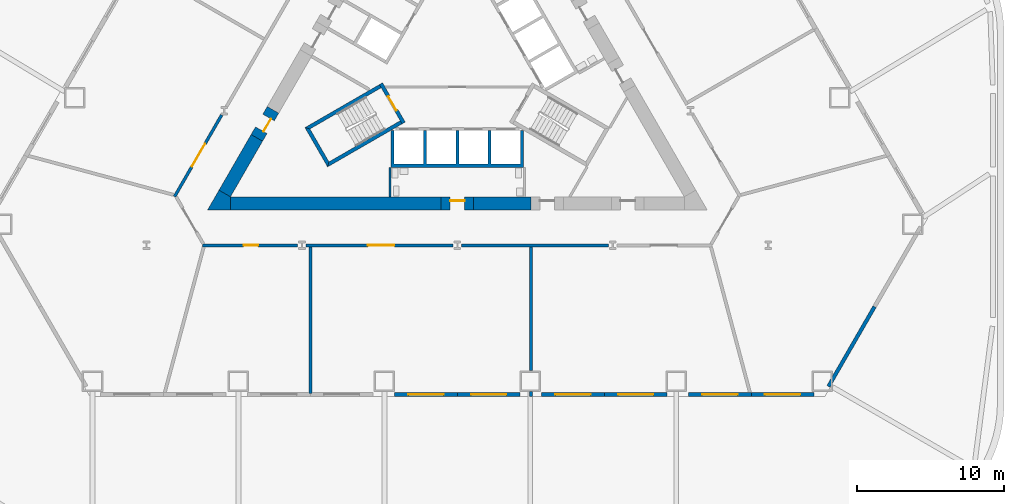
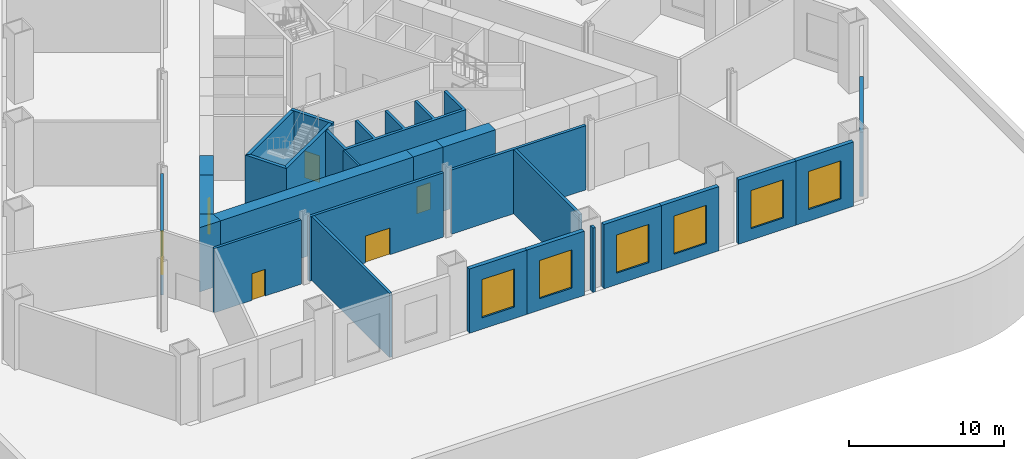
# One storey, part 3 of 10: 26 walls, 6 doors, 6 windows, 12 openings.
"""IFC4 building model written with IfcOpenShell, lengths in metres."""

from ifc_helpers import new_model, si_unit, direction, frame, frame_2d, origin, place, context, subcontext, project, spatial, polyline, rectangle, outline, extrude, material, layer, layer_set, type_object, element, fill, save


model = new_model("IFC4")

# Units and contexts
model_context = context("Model", 3, precision=1e-05, world=origin(), true_north=direction((0.0, 1.0)))
body_context = subcontext(model_context, "Body", "Model", "MODEL_VIEW")
ifc_project = project(units=[si_unit("LENGTHUNIT", "METRE"), si_unit("AREAUNIT", "SQUARE_METRE"), si_unit("VOLUMEUNIT", "CUBIC_METRE"), si_unit("PLANEANGLEUNIT", "RADIAN"), si_unit("MASSUNIT", "GRAM", prefix="KILO")], contexts=[model_context])

# Site, building, storey
site_placement = place(None, origin())
site = spatial("IfcSite", under=ifc_project, at=site_placement, CompositionType="ELEMENT")
building_placement = place(site_placement, origin())
building = spatial("IfcBuilding", under=site, at=building_placement, Name="Cormorant Prow Tower", CompositionType="ELEMENT")
storey_placement = place(building_placement, frame((0.0, 0.0, 10.0)))
storey = spatial("IfcBuildingStorey", under=building, at=storey_placement, Name="L01", CompositionType="ELEMENT", Elevation=10.0)

# Walls
ifc_material_1 = material(Name="Gypsum board partition")
ifc_layer_1 = layer(ifc_material_1, 0.14990234375)
ifc_layer_set_1 = layer_set([ifc_layer_1], Name="Gypsum board partition")
wall_type_1 = type_object("IfcWallType", Name="Core partition 150", PredefinedType="PARTITIONING", material=ifc_layer_set_1)
wall_1_placement = place(storey_placement, frame((-4.574951171875, -6.906005859375, 0.0), z_axis=(0.0, 0.0, 1.0), x_axis=(0.0, -1.0, 0.0)))
element("IfcWall", 1, at=wall_1_placement, inside=storey, type_object=wall_type_1, Name="Service room partition", PredefinedType="PARTITIONING", context=body_context, shape_type="SweptSolid", body=[
    extrude(rectangle(XDim=2.009033203125, YDim=0.14990234375, at=frame_2d((1.00439453125, 0.0))), origin(), (0.0, 0.0, 1.0), 5.050048828125),
])
ifc_material_2 = material(Name="Concrete 8000 psi", Category="concrete")
ifc_layer_2 = layer(ifc_material_2, 0.89990234375)
ifc_layer_set_2 = layer_set([ifc_layer_2], Name="Concrete 8000 psi")
wall_type_2 = type_object("IfcWallType", Name="Core shear wall 900", PredefinedType="SHEAR", material=ifc_layer_set_2)
wall_2_placement = place(storey_placement, frame((-15.441162109375, -9.364990234375, 0.0), z_axis=(0.0, 0.0, 1.0), x_axis=(1.0, 0.0, 0.0)))
element("IfcWall", 2, at=wall_2_placement, inside=storey, type_object=wall_type_2, Name="Core wall", PredefinedType="SHEAR", context=body_context, shape_type="SweptSolid", body=[
    extrude(rectangle(XDim=14.341064453125, YDim=0.89990234375, at=frame_2d((7.17041015625, 0.0))), origin(), (0.0, 0.0, 1.0), 5.050048828125),
])
wall_3_placement = place(storey_placement, frame((1.10009765625, -9.364990234375, 0.0), z_axis=(0.0, 0.0, 1.0), x_axis=(1.0, 0.0, 0.0)))
element("IfcWall", 3, at=wall_3_placement, inside=storey, type_object=wall_type_2, Name="Core wall", PredefinedType="SHEAR", context=body_context, shape_type="SweptSolid", body=[
    extrude(rectangle(XDim=3.908935546875, YDim=0.89990234375, at=frame_2d((1.95458984375, 0.0))), origin(), (0.0, 0.0, 1.0), 5.050048828125),
])
wall_4_placement = place(storey_placement, frame((-13.6455078125, -4.90478515625, 0.0), z_axis=(0.0, 0.0, 1.0), x_axis=(-0.499990005186, -0.866031174216, 0.0)))
element("IfcWall", 4, at=wall_4_placement, inside=storey, type_object=wall_type_2, Name="Core wall", PredefinedType="SHEAR", context=body_context, shape_type="SweptSolid", body=[
    extrude(rectangle(XDim=4.37060546875, YDim=0.89990234375, at=frame_2d((2.185302734375, 0.0))), origin(), (0.0, 0.0, 1.0), 5.050048828125),
])
wall_5_placement = place(storey_placement, origin())
element("IfcWall", 5, at=wall_5_placement, inside=storey, type_object=wall_type_2, Name="Core wall corner", PredefinedType="SHEAR", context=body_context, shape_type="SweptSolid", body=[
    extrude(outline(polyline([(-16.220703125, -8.465087890625), (-15.441162109375, -8.9150390625), (-15.441162109375, -9.81494140625), (-17.0, -9.81494140625), (-16.220703125, -8.465087890625)])), origin(), (0.0, 0.0, 1.0), 5.050048828125),
])

# Wall, opening, door
wall_6_placement = place(storey_placement, frame((-1.10009765625, -9.364990234375, 0.0), z_axis=(0.0, 0.0, 1.0), x_axis=(1.0, 0.0, 0.0)))
wall_6 = element("IfcWall", 6, at=wall_6_placement, inside=storey, type_object=wall_type_2, Name="Core wall door panel", PredefinedType="SHEAR", context=body_context, shape_type="SweptSolid", body=[
    extrude(rectangle(XDim=2.2001953125, YDim=0.89990234375, at=frame_2d((1.10009765625, 0.0))), origin(), (0.0, 0.0, 1.0), 5.050048828125),
])
opening_1_placement = place(wall_6_placement, frame((0.60009765625, 0.0, 0.0)))
opening_1 = element("IfcOpeningElement", 7, at=opening_1_placement, cuts=wall_6, Name="Opening L01-C15", PredefinedType="OPENING", context=body_context, shape_type="SweptSolid", body=[
    extrude(rectangle(XDim=1.0, YDim=2.10009765625, at=frame_2d((0.5, 1.050048828125))), frame((0.0, 0.4599609375, 0.0), z_axis=(0.0, -1.0, 0.0), x_axis=(1.0, 0.0, 0.0)), (0.0, 0.0, 1.0), 0.919921875),
])
ifc_material_3 = material(Name="Painted steel", Category="steel")
door_type_1 = type_object("IfcDoorType", Name="Service door 1000x2100", OperationType="NOTDEFINED", PredefinedType="DOOR", material=ifc_material_3)
door_1_placement = place(opening_1_placement, origin())
door_1 = element("IfcDoor", 8, at=door_1_placement, inside=storey, type_object=door_type_1, Name="Core door, Toilets (women) L01", OperationType="SINGLE_SWING_LEFT", OverallHeight=2.10009765625, OverallWidth=1.0, PredefinedType="DOOR", context=body_context, shape_type="SweptSolid", body=[
    extrude(rectangle(XDim=1.0, YDim=2.10009765625, at=frame_2d((0.5, 1.050048828125))), frame((0.0, 0.205078125, 0.0), z_axis=(0.0, -1.0, 0.0), x_axis=(1.0, 0.0, 0.0)), (0.0, 0.0, 1.0), 0.050048828125),
])
fill(opening_1, door_1)

wall_7_placement = place(storey_placement, frame((-12.545654296875, -2.999755859375, 0.0), z_axis=(0.0, 0.0, 1.0), x_axis=(-0.499994660107, -0.866028486751, 0.0)))
wall_7 = element("IfcWall", 9, at=wall_7_placement, inside=storey, type_object=wall_type_2, Name="Core wall door panel", PredefinedType="SHEAR", context=body_context, shape_type="SweptSolid", body=[
    extrude(rectangle(XDim=2.19970703125, YDim=0.89990234375, at=frame_2d((1.099853515625, 0.0))), origin(), (0.0, 0.0, 1.0), 5.050048828125),
])
opening_2_placement = place(wall_7_placement, frame((0.60009765625, 0.0, 0.0)))
opening_2 = element("IfcOpeningElement", 10, at=opening_2_placement, cuts=wall_7, Name="Opening L01-C16", PredefinedType="OPENING", context=body_context, shape_type="SweptSolid", body=[
    extrude(rectangle(XDim=1.0, YDim=2.10009765625, at=frame_2d((0.5, 1.050048828125))), frame((0.0, 0.4599609375, 0.0), z_axis=(0.0, -1.0, 0.0), x_axis=(1.0, 0.0, 0.0)), (0.0, 0.0, 1.0), 0.919921875),
])
door_2_placement = place(opening_2_placement, origin())
door_2 = element("IfcDoor", 11, at=door_2_placement, inside=storey, type_object=door_type_1, Name="Core door, Telecom room", OperationType="SINGLE_SWING_LEFT", OverallHeight=2.10009765625, OverallWidth=1.0, PredefinedType="DOOR", context=body_context, shape_type="SweptSolid", body=[
    extrude(rectangle(XDim=1.0, YDim=2.10009765625, at=frame_2d((0.5, 1.050048828125))), frame((0.0, 0.205078125, 0.0), z_axis=(0.0, -1.0, 0.0), x_axis=(1.0, 0.0, 0.0)), (0.0, 0.0, 1.0), 0.050048828125),
])
fill(opening_2, door_2)

ifc_material_4 = material(Name="Gypsum board corridor wall")
ifc_layer_3 = layer(ifc_material_4, 0.199951171875)
ifc_layer_set_3 = layer_set([ifc_layer_3], Name="Gypsum board corridor wall")
wall_type_3 = type_object("IfcWallType", Name="Corridor wall 200", PredefinedType="PARTITIONING", material=ifc_layer_set_3)
wall_8_placement = place(storey_placement, frame((-10.28369140625, -12.215087890625, 0.0), z_axis=(0.0, 0.0, 1.0), x_axis=(1.0, 0.0, 0.0)))
wall_8 = element("IfcWall", 12, at=wall_8_placement, inside=storey, type_object=wall_type_3, Name="Corridor wall", PredefinedType="PARTITIONING", context=body_context, shape_type="SweptSolid", body=[
    extrude(rectangle(XDim=9.98876953125, YDim=0.199951171875, at=frame_2d((4.994384765625, 0.0))), origin(), (0.0, 0.0, 1.0), 5.050048828125),
])
opening_3_placement = place(wall_8_placement, frame((4.195556640625, 0.0, 0.0)))
opening_3 = element("IfcOpeningElement", 13, at=opening_3_placement, cuts=wall_8, Name="Opening L01-F05", PredefinedType="OPENING", context=body_context, shape_type="SweptSolid", body=[
    extrude(rectangle(XDim=1.800048828125, YDim=2.10009765625, at=frame_2d((0.89990234375, 1.050048828125))), frame((0.0, 0.10986328125, 0.0), z_axis=(0.0, -1.0, 0.0), x_axis=(1.0, 0.0, 0.0)), (0.0, 0.0, 1.0), 0.219970703125),
])
ifc_material_5 = material(Name="Timber door leaf", Category="wood")
door_type_2 = type_object("IfcDoorType", Name="Double door 1800x2100", OperationType="DOUBLE_DOOR_SINGLE_SWING", PredefinedType="DOOR", material=ifc_material_5)
door_3_placement = place(opening_3_placement, origin())
door_3 = element("IfcDoor", 14, at=door_3_placement, inside=storey, type_object=door_type_2, Name="Retail unit door", OperationType="DOUBLE_DOOR_SINGLE_SWING", OverallHeight=2.10009765625, OverallWidth=1.800048828125, PredefinedType="DOOR", context=body_context, shape_type="SweptSolid", body=[
    extrude(rectangle(XDim=1.800048828125, YDim=2.10009765625, at=frame_2d((0.89990234375, 1.050048828125))), frame((0.0, 0.02490234375, 0.0), z_axis=(0.0, -1.0, 0.0), x_axis=(1.0, 0.0, 0.0)), (0.0, 0.0, 1.0), 0.050048828125),
])
fill(opening_3, door_3)

# Wall
wall_9_placement = place(storey_placement, frame((0.294921875, -12.215087890625, 0.0), z_axis=(0.0, 0.0, 1.0), x_axis=(1.0, 0.0, 0.0)))
element("IfcWall", 15, at=wall_9_placement, inside=storey, type_object=wall_type_3, Name="Corridor wall", PredefinedType="PARTITIONING", context=body_context, shape_type="SweptSolid", body=[
    extrude(rectangle(XDim=9.98876953125, YDim=0.199951171875, at=frame_2d((4.994384765625, 0.0))), origin(), (0.0, 0.0, 1.0), 5.050048828125),
])

# Wall, opening, door
wall_10_placement = place(storey_placement, frame((-17.330810546875, -12.215087890625, 0.0), z_axis=(0.0, 0.0, 1.0), x_axis=(1.0, 0.0, 0.0)))
wall_10 = element("IfcWall", 16, at=wall_10_placement, inside=storey, type_object=wall_type_3, Name="Corridor wall", PredefinedType="PARTITIONING", context=body_context, shape_type="SweptSolid", body=[
    extrude(rectangle(XDim=6.45751953125, YDim=0.199951171875, at=frame_2d((3.228759765625, 0.0))), origin(), (0.0, 0.0, 1.0), 5.050048828125),
])
opening_4_placement = place(wall_10_placement, frame((2.779541015625, 0.0, 0.0)))
opening_4 = element("IfcOpeningElement", 17, at=opening_4_placement, cuts=wall_10, Name="Opening L01-F04", PredefinedType="OPENING", context=body_context, shape_type="SweptSolid", body=[
    extrude(rectangle(XDim=1.0, YDim=2.10009765625, at=frame_2d((0.5, 1.050048828125))), frame((0.0, 0.10986328125, 0.0), z_axis=(0.0, -1.0, 0.0), x_axis=(1.0, 0.0, 0.0)), (0.0, 0.0, 1.0), 0.219970703125),
])
ifc_material_6 = material(Name="Timber door leaf", Category="wood")
door_type_3 = type_object("IfcDoorType", Name="Flat or room entrance door 1000x2100", OperationType="NOTDEFINED", PredefinedType="DOOR", material=ifc_material_6)
door_4_placement = place(opening_4_placement, origin())
door_4 = element("IfcDoor", 18, at=door_4_placement, inside=storey, type_object=door_type_3, Name="Pharmacy door", OperationType="SINGLE_SWING_RIGHT", OverallHeight=2.10009765625, OverallWidth=1.0, PredefinedType="DOOR", context=body_context, shape_type="SweptSolid", body=[
    extrude(rectangle(XDim=1.0, YDim=2.10009765625, at=frame_2d((0.5, 1.050048828125))), frame((0.0, 0.02490234375, 0.0), z_axis=(0.0, -1.0, 0.0), x_axis=(1.0, 0.0, 0.0)), (0.0, 0.0, 1.0), 0.050048828125),
])
fill(opening_4, door_4)

wall_11_placement = place(storey_placement, frame((-19.243896484375, -8.901611328125, 0.0), z_axis=(0.0, 0.0, 1.0), x_axis=(0.499988314375, 0.866032150378, 0.0)))
wall_11 = element("IfcWall", 19, at=wall_11_placement, inside=storey, type_object=wall_type_3, Name="Corridor wall", PredefinedType="PARTITIONING", context=body_context, shape_type="SweptSolid", body=[
    extrude(rectangle(XDim=6.412353515625, YDim=0.199951171875, at=frame_2d((3.2060546875, 0.0))), origin(), (0.0, 0.0, 1.0), 5.050048828125),
])
opening_5_placement = place(wall_11_placement, frame((2.356201171875, 0.0, 0.0)))
opening_5 = element("IfcOpeningElement", 20, at=opening_5_placement, cuts=wall_11, Name="Opening L01-F02", PredefinedType="OPENING", context=body_context, shape_type="SweptSolid", body=[
    extrude(rectangle(XDim=1.800048828125, YDim=2.10009765625, at=frame_2d((0.89990234375, 1.050048828125))), frame((0.0, 0.10986328125, 0.0), z_axis=(0.0, -1.0, 0.0), x_axis=(1.0, 0.0, 0.0)), (0.0, 0.0, 1.0), 0.219970703125),
])
door_5_placement = place(opening_5_placement, origin())
door_5 = element("IfcDoor", 21, at=door_5_placement, inside=storey, type_object=door_type_2, Name="Bank branch door", OperationType="DOUBLE_DOOR_SINGLE_SWING", OverallHeight=2.10009765625, OverallWidth=1.800048828125, PredefinedType="DOOR", context=body_context, shape_type="SweptSolid", body=[
    extrude(rectangle(XDim=1.800048828125, YDim=2.10009765625, at=frame_2d((0.89990234375, 1.050048828125))), frame((0.0, 0.02490234375, 0.0), z_axis=(0.0, -1.0, 0.0), x_axis=(1.0, 0.0, 0.0)), (0.0, 0.0, 1.0), 0.050048828125),
])
fill(opening_5, door_5)

# Walls
ifc_material_7 = material(Name="Gypsum board demising wall")
ifc_layer_4 = layer(ifc_material_7, 0.199951171875)
ifc_layer_set_4 = layer_set([ifc_layer_4], Name="Gypsum board demising wall")
wall_type_4 = type_object("IfcWallType", Name="Demising wall 200", PredefinedType="PARTITIONING", material=ifc_layer_set_4)
wall_12_placement = place(storey_placement, frame((-10.0, -22.296630859375, 0.0), z_axis=(0.0, 0.0, 1.0), x_axis=(0.0, 1.0, 0.0)))
element("IfcWall", 22, at=wall_12_placement, inside=storey, type_object=wall_type_4, Name="Demising wall", PredefinedType="PARTITIONING", context=body_context, shape_type="SweptSolid", body=[
    extrude(rectangle(XDim=9.981689453125, YDim=0.199951171875, at=frame_2d((4.99072265625, 0.0))), origin(), (0.0, 0.0, 1.0), 5.050048828125),
])
wall_13_placement = place(storey_placement, frame((5.0, -20.75, 0.0), z_axis=(0.0, 0.0, 1.0), x_axis=(0.0, 1.0, 0.0)))
element("IfcWall", 23, at=wall_13_placement, inside=storey, type_object=wall_type_4, Name="Demising wall", PredefinedType="PARTITIONING", context=body_context, shape_type="SweptSolid", body=[
    extrude(rectangle(XDim=8.43505859375, YDim=0.199951171875, at=frame_2d((4.217529296875, 0.0))), origin(), (0.0, 0.0, 1.0), 5.050048828125),
])
wall_14_placement = place(storey_placement, frame((5.0, -22.5166015625, 0.0), z_axis=(0.0, 0.0, 1.0), x_axis=(0.0, 1.0, 0.0)))
element("IfcWall", 24, at=wall_14_placement, inside=storey, type_object=wall_type_4, Name="Demising wall", PredefinedType="PARTITIONING", context=body_context, shape_type="SweptSolid", body=[
    extrude(rectangle(XDim=0.3466796875, YDim=0.199951171875, at=frame_2d((0.17333984375, 0.0))), origin(), (0.0, 0.0, 1.0), 5.050048828125),
])
ifc_material_8 = material(Name="Concrete 8000 psi", Category="concrete")
ifc_layer_5 = layer(ifc_material_8, 0.199951171875)
ifc_layer_set_5 = layer_set([ifc_layer_5], Name="Concrete 8000 psi")
wall_type_5 = type_object("IfcWallType", Name="Lift shaft wall 200", PredefinedType="SHEAR", material=ifc_layer_set_5)
wall_15_placement = place(storey_placement, origin())
element("IfcWall", 25, at=wall_15_placement, inside=storey, type_object=wall_type_5, Name="Lift shaft walls, S block", PredefinedType="SHEAR", context=body_context, shape_type="SweptSolid", body=[
    extrude(outline(polyline([(4.5, -4.39990234375), (4.5, -6.906005859375), (-4.5, -6.906005859375), (-4.5, -4.39990234375), (-4.300048828125, -4.39990234375), (-4.300048828125, -6.699951171875), (-2.300048828125, -6.699951171875), (-2.300048828125, -4.39990234375), (-2.10009765625, -4.39990234375), (-2.10009765625, -6.699951171875), (-0.10009765625, -6.699951171875), (-0.10009765625, -4.39990234375), (0.10009765625, -4.39990234375), (0.10009765625, -6.699951171875), (2.10009765625, -6.699951171875), (2.10009765625, -4.39990234375), (2.300048828125, -4.39990234375), (2.300048828125, -6.699951171875), (4.300048828125, -6.699951171875), (4.300048828125, -4.39990234375), (4.5, -4.39990234375)])), origin(), (0.0, 0.0, 1.0), 5.050048828125),
])
ifc_material_9 = material(Name="Concrete 8000 psi", Category="concrete")
ifc_layer_6 = layer(ifc_material_9, 0.25)
ifc_layer_set_6 = layer_set([ifc_layer_6], Name="Concrete 8000 psi")
wall_type_6 = type_object("IfcWallType", Name="Stair wall 250", PredefinedType="SHEAR", material=ifc_layer_set_6)
wall_16_placement = place(storey_placement, origin())
element("IfcWall", 26, at=wall_16_placement, inside=storey, type_object=wall_type_6, Name="Stair ST1 enclosure wall (flank)", PredefinedType="SHEAR", context=body_context, shape_type="SweptSolid", body=[
    extrude(outline(polyline([(-5.30712890625, -1.28125), (-10.37353515625, -4.206298828125), (-10.031982421875, -4.2978515625), (-5.18212890625, -1.497802734375), (-5.30712890625, -1.28125)])), origin(), (0.0, 0.0, 1.0), 5.050048828125),
])
wall_17_placement = place(storey_placement, origin())
element("IfcWall", 27, at=wall_17_placement, inside=storey, type_object=wall_type_6, Name="Stair ST1 enclosure wall (end)", PredefinedType="SHEAR", context=body_context, shape_type="SweptSolid", body=[
    extrude(outline(polyline([(-10.37353515625, -4.206298828125), (-8.82958984375, -6.880615234375), (-8.738037109375, -6.5390625), (-10.031982421875, -4.2978515625), (-10.37353515625, -4.206298828125)])), origin(), (0.0, 0.0, 1.0), 5.050048828125),
])
wall_18_placement = place(storey_placement, origin())
element("IfcWall", 28, at=wall_18_placement, inside=storey, type_object=wall_type_6, Name="Stair ST1 enclosure wall (flank)", PredefinedType="SHEAR", context=body_context, shape_type="SweptSolid", body=[
    extrude(outline(polyline([(-8.738037109375, -6.5390625), (-8.82958984375, -6.880615234375), (-3.76318359375, -3.95556640625), (-3.88818359375, -3.739013671875), (-8.738037109375, -6.5390625)])), origin(), (0.0, 0.0, 1.0), 5.050048828125),
])

# Wall, opening, door
wall_19_placement = place(storey_placement, frame((-5.198974609375, -1.21875, 0.0), z_axis=(0.0, 0.0, 1.0), x_axis=(0.499982516597, -0.866035497597, 0.0)))
wall_19 = element("IfcWall", 29, at=wall_19_placement, inside=storey, type_object=wall_type_6, Name="Stair ST1 door wall", PredefinedType="SHEAR", context=body_context, shape_type="SweptSolid", body=[
    extrude(rectangle(XDim=3.087890625, YDim=0.25, at=frame_2d((1.5439453125, 0.0))), origin(), (0.0, 0.0, 1.0), 5.050048828125),
])
opening_6_placement = place(wall_19_placement, frame((0.993896484375, 0.0, 0.0)))
opening_6 = element("IfcOpeningElement", 30, at=opening_6_placement, cuts=wall_19, Name="Opening L01-C12", PredefinedType="OPENING", context=body_context, shape_type="SweptSolid", body=[
    extrude(rectangle(XDim=1.10009765625, YDim=2.10009765625, at=frame_2d((0.550048828125, 1.050048828125))), frame((0.0, 0.135009765625, 0.0), z_axis=(0.0, -1.0, 0.0), x_axis=(1.0, 0.0, 0.0)), (0.0, 0.0, 1.0), 0.27001953125),
])
ifc_material_10 = material(Name="Painted steel", Category="steel")
door_type_4 = type_object("IfcDoorType", Name="Stair door 1100x2100", OperationType="NOTDEFINED", PredefinedType="DOOR", material=ifc_material_10)
door_6_placement = place(opening_6_placement, origin())
door_6 = element("IfcDoor", 31, at=door_6_placement, inside=storey, type_object=door_type_4, Name="Stair ST1 door", OperationType="SINGLE_SWING_LEFT", OverallHeight=2.10009765625, OverallWidth=1.10009765625, PredefinedType="DOOR", context=body_context, shape_type="SweptSolid", body=[
    extrude(rectangle(XDim=1.10009765625, YDim=2.10009765625, at=frame_2d((0.550048828125, 1.050048828125))), frame((0.0, 0.02490234375, 0.0), z_axis=(0.0, -1.0, 0.0), x_axis=(1.0, 0.0, 0.0)), (0.0, 0.0, 1.0), 0.050048828125),
])
fill(opening_6, door_6)

# Wall
ifc_material_11 = material(Name="Terracotta", Category="masonry")
ifc_layer_7 = layer(ifc_material_11, 0.25)
ifc_layer_set_7 = layer_set([ifc_layer_7], Name="Terracotta")
wall_type_7 = type_object("IfcWallType", Name="Terracotta bay wall 250", PredefinedType="SOLIDWALL", material=ifc_layer_set_7)
wall_20_placement = place(storey_placement, frame((25.2568359375, -21.822021484375, 0.0), z_axis=(0.0, 0.0, 1.0), x_axis=(0.5000044583, 0.866022829768, 0.0)))
element("IfcWall", 32, at=wall_20_placement, inside=storey, type_object=wall_type_7, Name="Terracotta bay wall ESE00", PredefinedType="SOLIDWALL", context=body_context, shape_type="SweptSolid", body=[
    extrude(rectangle(XDim=6.27001953125, YDim=0.25, at=frame_2d((3.135009765625, 0.0))), origin(), (0.0, 0.0, 1.0), 5.050048828125),
])

# Wall, opening, window
ifc_material_12 = material(Name="Terracotta", Category="masonry")
ifc_layer_8 = layer(ifc_material_12, 0.300048828125)
ifc_layer_set_8 = layer_set([ifc_layer_8], Name="Terracotta")
wall_type_8 = type_object("IfcWallType", Name="Terracotta podium cladding wall 300", PredefinedType="SOLIDWALL", material=ifc_layer_set_8)
wall_21_placement = place(storey_placement, frame((-4.27001953125, -22.36669921875, 0.0), z_axis=(0.0, 0.0, 1.0), x_axis=(1.0, 0.0, 0.0)))
wall_21 = element("IfcWall", 33, at=wall_21_placement, inside=storey, type_object=wall_type_8, Name="Terracotta podium wall S04", PredefinedType="SOLIDWALL", context=body_context, shape_type="SweptSolid", body=[
    extrude(rectangle(XDim=4.27001953125, YDim=0.300048828125, at=frame_2d((2.135009765625, 0.0))), origin(), (0.0, 0.0, 1.0), 5.050048828125),
])
opening_7_placement = place(wall_21_placement, frame((0.93505859375, 0.0, 0.89990234375)))
opening_7 = element("IfcOpeningElement", 34, at=opening_7_placement, cuts=wall_21, Name="Opening WN21", PredefinedType="OPENING", context=body_context, shape_type="SweptSolid", body=[
    extrude(rectangle(XDim=2.39990234375, YDim=3.0, at=frame_2d((1.199951171875, 1.5))), frame((0.0, 0.159912109375, 0.0), z_axis=(0.0, -1.0, 0.0), x_axis=(1.0, 0.0, 0.0)), (0.0, 0.0, 1.0), 0.320068359375),
])
ifc_material_13 = material(Name="Aluminium 6063-T6", Category="aluminium")
window_type = type_object("IfcWindowType", Name="Podium window 2400x3000", PartitioningType="SINGLE_PANEL", PredefinedType="WINDOW", material=ifc_material_13)
window_1_placement = place(opening_7_placement, origin())
window_1 = element("IfcWindow", 35, at=window_1_placement, inside=storey, type_object=window_type, Name="Podium window S04", OverallHeight=3.0, OverallWidth=2.39990234375, PartitioningType="SINGLE_PANEL", PredefinedType="WINDOW", context=body_context, shape_type="SweptSolid", body=[
    extrude(rectangle(XDim=2.39990234375, YDim=3.0, at=frame_2d((1.199951171875, 1.5))), frame((0.0, 0.030029296875, 0.0), z_axis=(0.0, -1.0, 0.0), x_axis=(1.0, 0.0, 0.0)), (0.0, 0.0, 1.0), 0.06005859375),
])
fill(opening_7, window_1)

wall_22_placement = place(storey_placement, frame((0.0, -22.36669921875, 0.0), z_axis=(0.0, 0.0, 1.0), x_axis=(1.0, 0.0, 0.0)))
wall_22 = element("IfcWall", 36, at=wall_22_placement, inside=storey, type_object=wall_type_8, Name="Terracotta podium wall S05", PredefinedType="SOLIDWALL", context=body_context, shape_type="SweptSolid", body=[
    extrude(rectangle(XDim=4.27001953125, YDim=0.300048828125, at=frame_2d((2.135009765625, 0.0))), origin(), (0.0, 0.0, 1.0), 5.050048828125),
])
opening_8_placement = place(wall_22_placement, frame((0.93505859375, 0.0, 0.89990234375)))
opening_8 = element("IfcOpeningElement", 37, at=opening_8_placement, cuts=wall_22, Name="Opening WN21", PredefinedType="OPENING", context=body_context, shape_type="SweptSolid", body=[
    extrude(rectangle(XDim=2.39990234375, YDim=3.0, at=frame_2d((1.199951171875, 1.5))), frame((0.0, 0.159912109375, 0.0), z_axis=(0.0, -1.0, 0.0), x_axis=(1.0, 0.0, 0.0)), (0.0, 0.0, 1.0), 0.320068359375),
])
window_2_placement = place(opening_8_placement, origin())
window_2 = element("IfcWindow", 38, at=window_2_placement, inside=storey, type_object=window_type, Name="Podium window S05", OverallHeight=3.0, OverallWidth=2.39990234375, PartitioningType="SINGLE_PANEL", PredefinedType="WINDOW", context=body_context, shape_type="SweptSolid", body=[
    extrude(rectangle(XDim=2.39990234375, YDim=3.0, at=frame_2d((1.199951171875, 1.5))), frame((0.0, 0.030029296875, 0.0), z_axis=(0.0, -1.0, 0.0), x_axis=(1.0, 0.0, 0.0)), (0.0, 0.0, 1.0), 0.06005859375),
])
fill(opening_8, window_2)

wall_23_placement = place(storey_placement, frame((5.72998046875, -22.36669921875, 0.0), z_axis=(0.0, 0.0, 1.0), x_axis=(1.0, 0.0, 0.0)))
wall_23 = element("IfcWall", 39, at=wall_23_placement, inside=storey, type_object=wall_type_8, Name="Terracotta podium wall S06", PredefinedType="SOLIDWALL", context=body_context, shape_type="SweptSolid", body=[
    extrude(rectangle(XDim=4.27001953125, YDim=0.300048828125, at=frame_2d((2.135009765625, 0.0))), origin(), (0.0, 0.0, 1.0), 5.050048828125),
])
opening_9_placement = place(wall_23_placement, frame((0.93505859375, 0.0, 0.89990234375)))
opening_9 = element("IfcOpeningElement", 40, at=opening_9_placement, cuts=wall_23, Name="Opening WN21", PredefinedType="OPENING", context=body_context, shape_type="SweptSolid", body=[
    extrude(rectangle(XDim=2.39990234375, YDim=3.0, at=frame_2d((1.199951171875, 1.5))), frame((0.0, 0.159912109375, 0.0), z_axis=(0.0, -1.0, 0.0), x_axis=(1.0, 0.0, 0.0)), (0.0, 0.0, 1.0), 0.320068359375),
])
window_3_placement = place(opening_9_placement, origin())
window_3 = element("IfcWindow", 41, at=window_3_placement, inside=storey, type_object=window_type, Name="Podium window S06", OverallHeight=3.0, OverallWidth=2.39990234375, PartitioningType="SINGLE_PANEL", PredefinedType="WINDOW", context=body_context, shape_type="SweptSolid", body=[
    extrude(rectangle(XDim=2.39990234375, YDim=3.0, at=frame_2d((1.199951171875, 1.5))), frame((0.0, 0.030029296875, 0.0), z_axis=(0.0, -1.0, 0.0), x_axis=(1.0, 0.0, 0.0)), (0.0, 0.0, 1.0), 0.06005859375),
])
fill(opening_9, window_3)

wall_24_placement = place(storey_placement, frame((10.0, -22.36669921875, 0.0), z_axis=(0.0, 0.0, 1.0), x_axis=(1.0, 0.0, 0.0)))
wall_24 = element("IfcWall", 42, at=wall_24_placement, inside=storey, type_object=wall_type_8, Name="Terracotta podium wall S07", PredefinedType="SOLIDWALL", context=body_context, shape_type="SweptSolid", body=[
    extrude(rectangle(XDim=4.27001953125, YDim=0.300048828125, at=frame_2d((2.135009765625, 0.0))), origin(), (0.0, 0.0, 1.0), 5.050048828125),
])
opening_10_placement = place(wall_24_placement, frame((0.93505859375, 0.0, 0.89990234375)))
opening_10 = element("IfcOpeningElement", 43, at=opening_10_placement, cuts=wall_24, Name="Opening WN21", PredefinedType="OPENING", context=body_context, shape_type="SweptSolid", body=[
    extrude(rectangle(XDim=2.39990234375, YDim=3.0, at=frame_2d((1.199951171875, 1.5))), frame((0.0, 0.159912109375, 0.0), z_axis=(0.0, -1.0, 0.0), x_axis=(1.0, 0.0, 0.0)), (0.0, 0.0, 1.0), 0.320068359375),
])
window_4_placement = place(opening_10_placement, origin())
window_4 = element("IfcWindow", 44, at=window_4_placement, inside=storey, type_object=window_type, Name="Podium window S07", OverallHeight=3.0, OverallWidth=2.39990234375, PartitioningType="SINGLE_PANEL", PredefinedType="WINDOW", context=body_context, shape_type="SweptSolid", body=[
    extrude(rectangle(XDim=2.39990234375, YDim=3.0, at=frame_2d((1.199951171875, 1.5))), frame((0.0, 0.030029296875, 0.0), z_axis=(0.0, -1.0, 0.0), x_axis=(1.0, 0.0, 0.0)), (0.0, 0.0, 1.0), 0.06005859375),
])
fill(opening_10, window_4)

wall_25_placement = place(storey_placement, frame((15.72998046875, -22.36669921875, 0.0), z_axis=(0.0, 0.0, 1.0), x_axis=(1.0, 0.0, 0.0)))
wall_25 = element("IfcWall", 45, at=wall_25_placement, inside=storey, type_object=wall_type_8, Name="Terracotta podium wall S08", PredefinedType="SOLIDWALL", context=body_context, shape_type="SweptSolid", body=[
    extrude(rectangle(XDim=4.27001953125, YDim=0.300048828125, at=frame_2d((2.135009765625, 0.0))), origin(), (0.0, 0.0, 1.0), 5.050048828125),
])
opening_11_placement = place(wall_25_placement, frame((0.93505859375, 0.0, 0.89990234375)))
opening_11 = element("IfcOpeningElement", 46, at=opening_11_placement, cuts=wall_25, Name="Opening WN21", PredefinedType="OPENING", context=body_context, shape_type="SweptSolid", body=[
    extrude(rectangle(XDim=2.39990234375, YDim=3.0, at=frame_2d((1.199951171875, 1.5))), frame((0.0, 0.159912109375, 0.0), z_axis=(0.0, -1.0, 0.0), x_axis=(1.0, 0.0, 0.0)), (0.0, 0.0, 1.0), 0.320068359375),
])
window_5_placement = place(opening_11_placement, origin())
window_5 = element("IfcWindow", 47, at=window_5_placement, inside=storey, type_object=window_type, Name="Podium window S08", OverallHeight=3.0, OverallWidth=2.39990234375, PartitioningType="SINGLE_PANEL", PredefinedType="WINDOW", context=body_context, shape_type="SweptSolid", body=[
    extrude(rectangle(XDim=2.39990234375, YDim=3.0, at=frame_2d((1.199951171875, 1.5))), frame((0.0, 0.030029296875, 0.0), z_axis=(0.0, -1.0, 0.0), x_axis=(1.0, 0.0, 0.0)), (0.0, 0.0, 1.0), 0.06005859375),
])
fill(opening_11, window_5)

wall_26_placement = place(storey_placement, frame((20.0, -22.36669921875, 0.0), z_axis=(0.0, 0.0, 1.0), x_axis=(1.0, 0.0, 0.0)))
wall_26 = element("IfcWall", 48, at=wall_26_placement, inside=storey, type_object=wall_type_8, Name="Terracotta podium wall S09", PredefinedType="SOLIDWALL", context=body_context, shape_type="SweptSolid", body=[
    extrude(rectangle(XDim=4.27001953125, YDim=0.300048828125, at=frame_2d((2.135009765625, 0.0))), origin(), (0.0, 0.0, 1.0), 5.050048828125),
])
opening_12_placement = place(wall_26_placement, frame((0.93505859375, 0.0, 0.89990234375)))
opening_12 = element("IfcOpeningElement", 49, at=opening_12_placement, cuts=wall_26, Name="Opening WN21", PredefinedType="OPENING", context=body_context, shape_type="SweptSolid", body=[
    extrude(rectangle(XDim=2.39990234375, YDim=3.0, at=frame_2d((1.199951171875, 1.5))), frame((0.0, 0.159912109375, 0.0), z_axis=(0.0, -1.0, 0.0), x_axis=(1.0, 0.0, 0.0)), (0.0, 0.0, 1.0), 0.320068359375),
])
window_6_placement = place(opening_12_placement, origin())
window_6 = element("IfcWindow", 50, at=window_6_placement, inside=storey, type_object=window_type, Name="Podium window S09", OverallHeight=3.0, OverallWidth=2.39990234375, PartitioningType="SINGLE_PANEL", PredefinedType="WINDOW", context=body_context, shape_type="SweptSolid", body=[
    extrude(rectangle(XDim=2.39990234375, YDim=3.0, at=frame_2d((1.199951171875, 1.5))), frame((0.0, 0.030029296875, 0.0), z_axis=(0.0, -1.0, 0.0), x_axis=(1.0, 0.0, 0.0)), (0.0, 0.0, 1.0), 0.06005859375),
])
fill(opening_12, window_6)

save(model, "model.ifc")
